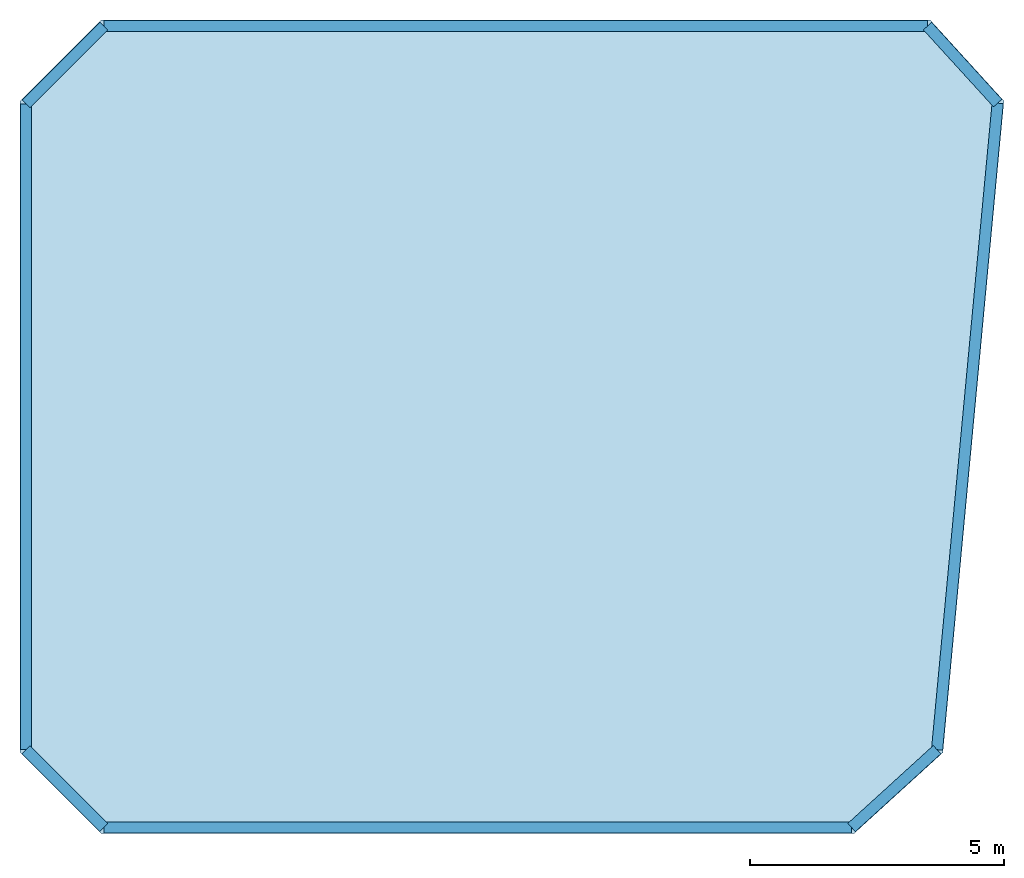
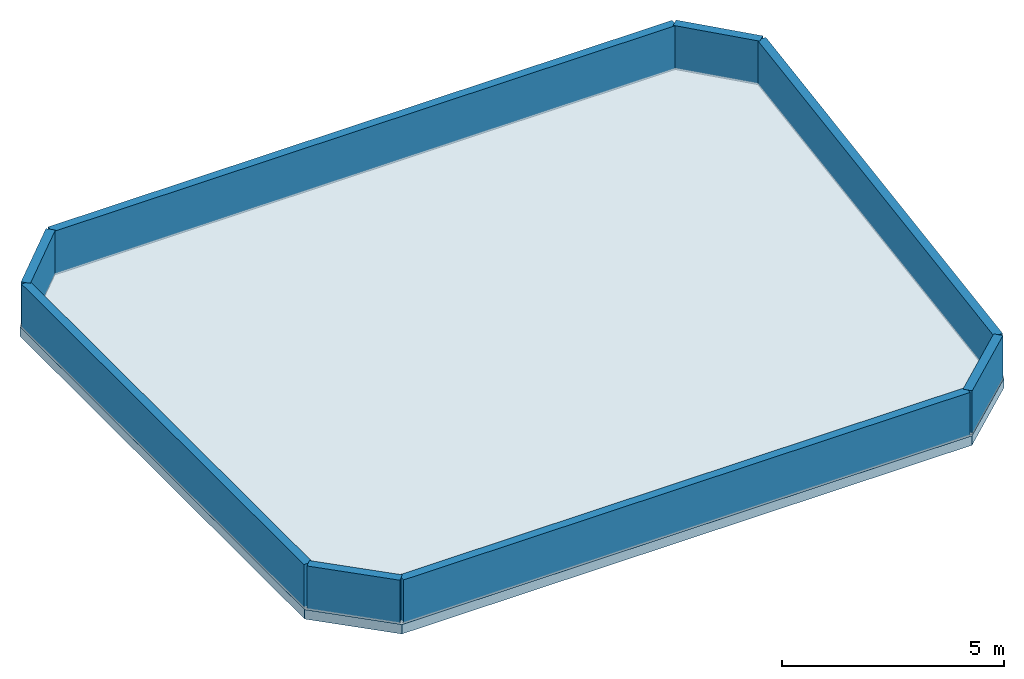
# One storey, part 1 of 2: 8 walls, 1 slab.
"""IFC4 building model written with IfcOpenShell, lengths in metres."""

from ifc_helpers import new_model, si_unit, direction, frame, frame_2d, origin, place, context, subcontext, project, spatial, polyline, rectangle, outline, extrude, material, layer, layer_set, type_object, element, save


model = new_model("IFC4")

# Units and contexts
model_context = context("Model", 3, precision=1e-05, world=origin(), true_north=direction((0.0, 1.0)))
body_context = subcontext(model_context, "Body", "Model", "MODEL_VIEW")
ifc_project = project(units=[si_unit("LENGTHUNIT", "METRE"), si_unit("AREAUNIT", "SQUARE_METRE"), si_unit("VOLUMEUNIT", "CUBIC_METRE"), si_unit("PLANEANGLEUNIT", "RADIAN"), si_unit("MASSUNIT", "GRAM", prefix="KILO")], contexts=[model_context])

# Site, building, storey
site_placement = place(None, origin())
site = spatial("IfcSite", under=ifc_project, at=site_placement, CompositionType="ELEMENT")
building_placement = place(site_placement, origin())
building = spatial("IfcBuilding", under=site, at=building_placement, Name="Kravanh Interchange Tower", CompositionType="ELEMENT")
storey_placement = place(building_placement, frame((0.0, 0.0, 337.199951171875)))
storey = spatial("IfcBuildingStorey", under=building, at=storey_placement, Name="ROOF", CompositionType="ELEMENT", Elevation=337.199951171875)

# Slab
ifc_material_1 = material(Name="Concrete C50/60", Category="concrete")
ifc_layer_1 = layer(ifc_material_1, 0.260009765625)
ifc_layer_set_1 = layer_set([ifc_layer_1], Name="Crown Enclosure Roof Slab Concrete C50/60 260mm")
slab_type = type_object("IfcSlabType", Name="Crown Enclosure Roof Slab Concrete C50/60 260mm", PredefinedType="ROOF", material=ifc_layer_set_1)
slab_placement = place(storey_placement, frame((0.0, 0.0, -0.260009765625)))
element("IfcSlab", 1, at=slab_placement, inside=storey, type_object=slab_type, Name="L83 Stepped Crown Top Maintenance Roof Slab", PredefinedType="ROOF", context=body_context, shape_type="SweptSolid", body=[
    extrude(outline(polyline([(49.5, 33.60009765625), (51.10009765625, 32.0), (65.89990234375, 32.0), (67.6494140625, 33.593017578125), (68.8505859375, 46.406982421875), (67.39990234375, 48.0), (51.10009765625, 48.0), (49.5, 46.39990234375), (49.5, 33.60009765625)])), origin(), (0.0, 0.0, 1.0), 0.260009765625),
])

# Walls
ifc_material_2 = material(Name="Concrete C40/50", Category="concrete")
ifc_layer_2 = layer(ifc_material_2, 0.219970703125)
ifc_layer_set_2 = layer_set([ifc_layer_2], Name="Roof Parapet Upstand Wall Concrete C40/50 220mm")
wall_type = type_object("IfcWallType", Name="Roof Parapet Upstand Wall Concrete C40/50 220mm", PredefinedType="PARAPET", material=ifc_layer_set_2)
wall_1_placement = place(storey_placement, frame((49.6201171875, 33.649658203125, 0.0), z_axis=(0.0, 0.0, 1.0), x_axis=(0.0, 1.0, 0.0)))
element("IfcWall", 2, at=wall_1_placement, inside=storey, type_object=wall_type, Name="L83 Top Crown Parapet 1", PredefinedType="PARAPET", context=body_context, shape_type="SweptSolid", body=[
    extrude(rectangle(XDim=12.70068359375, YDim=0.219970703125, at=frame_2d((6.350341796875, 0.0))), origin(), (0.0, 0.0, 1.0), 1.199951171875),
])
wall_2_placement = place(storey_placement, frame((49.6201171875, 46.350341796875, 0.0), z_axis=(0.0, 0.0, 1.0), x_axis=(0.707106781187, 0.707106781187, 0.0)))
element("IfcWall", 3, at=wall_2_placement, inside=storey, type_object=wall_type, Name="L83 Top Crown Parapet 2", PredefinedType="PARAPET", context=body_context, shape_type="SweptSolid", body=[
    extrude(rectangle(XDim=2.1630859375, YDim=0.219970703125, at=frame_2d((1.08154296875, 0.0))), origin(), (0.0, 0.0, 1.0), 1.199951171875),
])
wall_3_placement = place(storey_placement, frame((51.149658203125, 47.8798828125, 0.0), z_axis=(0.0, 0.0, 1.0), x_axis=(1.0, 0.0, 0.0)))
element("IfcWall", 4, at=wall_3_placement, inside=storey, type_object=wall_type, Name="L83 Top Crown Parapet 3", PredefinedType="PARAPET", context=body_context, shape_type="SweptSolid", body=[
    extrude(rectangle(XDim=16.197265625, YDim=0.219970703125, at=frame_2d((8.0986328125, 0.0))), origin(), (0.0, 0.0, 1.0), 1.199951171875),
])
wall_4_placement = place(storey_placement, frame((67.346923828125, 47.8798828125, 0.0), z_axis=(0.0, 0.0, 1.0), x_axis=(0.673384345381, -0.739292583079, 0.0)))
element("IfcWall", 5, at=wall_4_placement, inside=storey, type_object=wall_type, Name="L83 Top Crown Parapet 4", PredefinedType="PARAPET", context=body_context, shape_type="SweptSolid", body=[
    extrude(rectangle(XDim=2.04833984375, YDim=0.219970703125, at=frame_2d((1.024169921875, 0.0))), origin(), (0.0, 0.0, 1.0), 1.199951171875),
])
wall_5_placement = place(storey_placement, frame((68.726318359375, 46.365478515625, 0.0), z_axis=(0.0, 0.0, 1.0), x_axis=(-0.093348407316, -0.995633504283, 0.0)))
element("IfcWall", 6, at=wall_5_placement, inside=storey, type_object=wall_type, Name="L83 Top Crown Parapet 5", PredefinedType="PARAPET", context=body_context, shape_type="SweptSolid", body=[
    extrude(rectangle(XDim=12.770751953125, YDim=0.219970703125, at=frame_2d((6.38525390625, 0.0))), origin(), (0.0, 0.0, 1.0), 1.199951171875),
])
wall_6_placement = place(storey_placement, frame((67.5341796875, 33.650390625, 0.0), z_axis=(0.0, 0.0, 1.0), x_axis=(-0.739414945373, -0.67324998222, 0.0)))
element("IfcWall", 7, at=wall_6_placement, inside=storey, type_object=wall_type, Name="L83 Top Crown Parapet 6", PredefinedType="PARAPET", context=body_context, shape_type="SweptSolid", body=[
    extrude(rectangle(XDim=2.27294921875, YDim=0.219970703125, at=frame_2d((1.136474609375, 0.0))), origin(), (0.0, 0.0, 1.0), 1.199951171875),
])
wall_7_placement = place(storey_placement, frame((65.853515625, 32.1201171875, 0.0), z_axis=(0.0, 0.0, 1.0), x_axis=(-1.0, 0.0, 0.0)))
element("IfcWall", 8, at=wall_7_placement, inside=storey, type_object=wall_type, Name="L83 Top Crown Parapet 7", PredefinedType="PARAPET", context=body_context, shape_type="SweptSolid", body=[
    extrude(rectangle(XDim=14.703857421875, YDim=0.219970703125, at=frame_2d((7.35205078125, 0.0))), origin(), (0.0, 0.0, 1.0), 1.199951171875),
])
wall_8_placement = place(storey_placement, frame((51.149658203125, 32.1201171875, 0.0), z_axis=(0.0, 0.0, 1.0), x_axis=(-0.707106781187, 0.707106781187, 0.0)))
element("IfcWall", 9, at=wall_8_placement, inside=storey, type_object=wall_type, Name="L83 Top Crown Parapet 8", PredefinedType="PARAPET", context=body_context, shape_type="SweptSolid", body=[
    extrude(rectangle(XDim=2.1630859375, YDim=0.219970703125, at=frame_2d((1.08154296875, 0.0))), origin(), (0.0, 0.0, 1.0), 1.199951171875),
])

save(model, "model.ifc")
